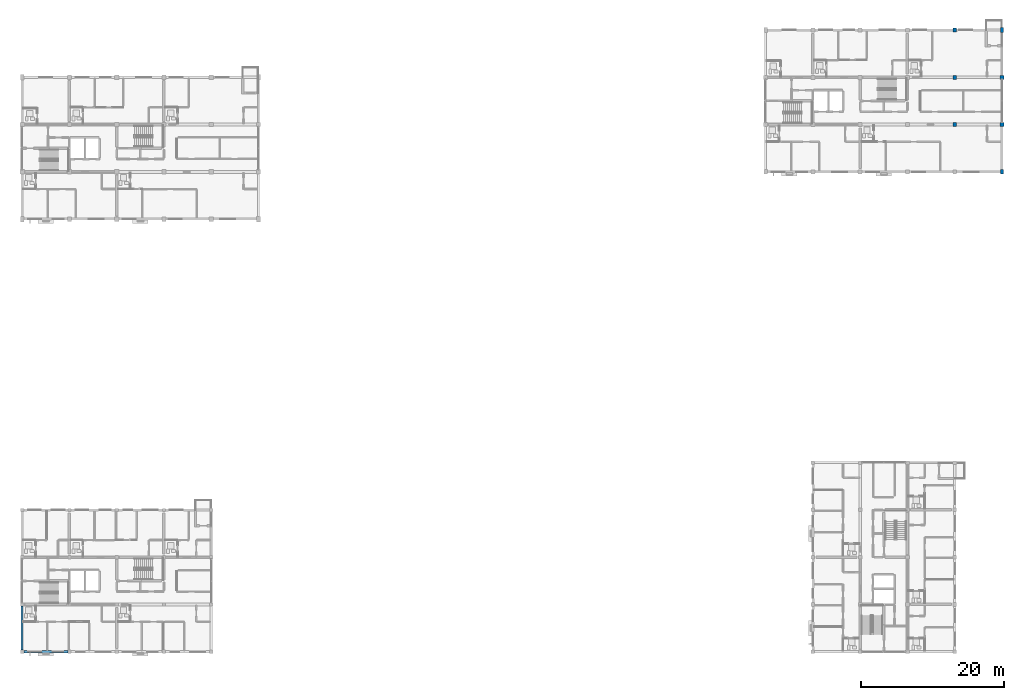
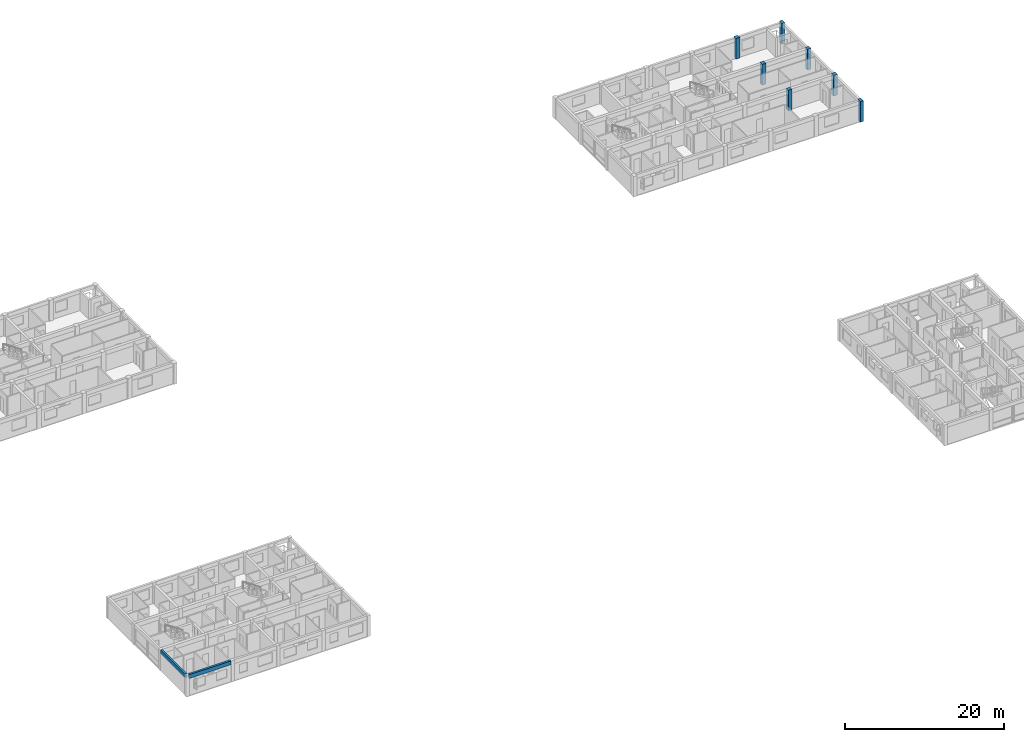
# One storey, part 2 of 52: 7 columns, 2 beams.
"""IFC4 building model written with IfcOpenShell, lengths in metres."""

from ifc_helpers import new_model, si_unit, direction, frame, origin, origin_2d, place, context, subcontext, project, spatial, rectangle, extrude, material, material_profile, profile_set, type_object, element, save


model = new_model("IFC4")

# Units and contexts
model_context = context("Model", 3, precision=1e-05, world=origin(), true_north=direction((0.0, 1.0)))
body_context = subcontext(model_context, "Body", "Model", "MODEL_VIEW")
ifc_project = project(units=[si_unit("LENGTHUNIT", "METRE"), si_unit("AREAUNIT", "SQUARE_METRE"), si_unit("VOLUMEUNIT", "CUBIC_METRE"), si_unit("PLANEANGLEUNIT", "RADIAN"), si_unit("MASSUNIT", "GRAM", prefix="KILO")], contexts=[model_context])

# Site, building, storey
site_placement = place(None, origin())
site = spatial("IfcSite", under=ifc_project, at=site_placement, CompositionType="ELEMENT")
building_placement = place(site_placement, origin())
building = spatial("IfcBuilding", under=site, at=building_placement, Name="Kernevlak Ridge Housing Community", CompositionType="ELEMENT")
storey_placement = place(building_placement, frame((0.0, 0.0, 11.60009765625)))
storey = spatial("IfcBuildingStorey", under=building, at=storey_placement, Name="L03", CompositionType="ELEMENT", Elevation=11.60009765625)

# Columns
ifc_material_1 = material(Name="Concrete C40/50", Category="concrete")
ifc_material_profile_1 = material_profile(ifc_material_1, rectangle(XDim=0.550048828125, YDim=0.550048828125, at=origin_2d()), Name="RC 550x550")
ifc_profile_set_1 = profile_set([ifc_material_profile_1], Name="Concrete C40/50")
column_type_1 = type_object("IfcColumnType", Name="C-02", PredefinedType="COLUMN", material=ifc_profile_set_1)
for number, where, z_axis, x_axis, name in (
    (1, (145.800048828125, 89.199951171875, 0.0), (0.0, 0.0, 1.0), (1.0, 0.0, 0.0), "Column C-02 COL-B-L03-04-1"),
    (2, (145.800048828125, 95.800048828125, 0.0), (0.0, 0.0, 1.0), (1.0, 0.0, 0.0), "Column C-02 COL-B-L03-04-2"),
    (3, (145.800048828125, 102.39990234375, 0.0), (0.0, 0.0, 1.0), (1.0, 0.0, 0.0), "Column C-02 COL-B-L03-04-3"),
    (4, (152.39990234375, 89.199951171875, 0.0), (0.0, 0.0, 1.0), (1.0, 0.0, 0.0), "Column C-02 COL-B-L03-05-1"),
    (5, (152.39990234375, 95.800048828125, 0.0), (0.0, 0.0, 1.0), (1.0, 0.0, 0.0), "Column C-02 COL-B-L03-05-2"),
):
    element("IfcColumn", number, at=place(storey_placement, frame(where, z_axis=z_axis, x_axis=x_axis)), inside=storey, type_object=column_type_1, Name=name, PredefinedType="COLUMN", context=body_context, shape_type="SweptSolid", body=[
        extrude(rectangle(XDim=0.550048828125, YDim=0.550048828125, at=origin_2d()), origin(), (0.0, 0.0, 1.0), 3.199951171875),
    ])
ifc_material_profile_2 = material_profile(ifc_material_1, rectangle(XDim=0.449951171875, YDim=0.64990234375, at=origin_2d()), Name="RC 450x650")
ifc_profile_set_2 = profile_set([ifc_material_profile_2], Name="Concrete C40/50")
column_type_2 = type_object("IfcColumnType", Name="C-08", PredefinedType="COLUMN", material=ifc_profile_set_2)
for number, where, z_axis, x_axis, name in (
    (6, (152.39990234375, 82.60009765625, 0.0), (0.0, 0.0, 1.0), (1.0, 0.0, 0.0), "Column C-08 COL-B-L03-05-0"),
    (7, (152.39990234375, 102.39990234375, 0.0), (0.0, 0.0, 1.0), (1.0, 0.0, 0.0), "Column C-08 COL-B-L03-05-3"),
):
    element("IfcColumn", number, at=place(storey_placement, frame(where, z_axis=z_axis, x_axis=x_axis)), inside=storey, type_object=column_type_2, Name=name, PredefinedType="COLUMN", context=body_context, shape_type="SweptSolid", body=[
        extrude(rectangle(XDim=0.449951171875, YDim=0.64990234375, at=origin_2d()), origin(), (0.0, 0.0, 1.0), 3.199951171875),
    ])

# Beams
ifc_material_2 = material(Name="Concrete C35/45", Category="concrete")
ifc_material_profile_3 = material_profile(ifc_material_2, rectangle(XDim=0.300048828125, YDim=0.550048828125, at=origin_2d()), Name="RC 300x550")
ifc_profile_set_3 = profile_set([ifc_material_profile_3], Name="Concrete C35/45")
beam_type_1 = type_object("IfcBeamType", Name="SP-01", PredefinedType="SPANDREL", material=ifc_profile_set_3)
beam_1_placement = place(storey_placement, frame((15.60009765625, 15.824951171875, 2.9248046875), z_axis=(0.0, 1.0, 0.0), x_axis=(-1.0, 0.0, 0.0)))
element("IfcBeam", 8, at=beam_1_placement, inside=storey, type_object=beam_type_1, Name="Beam SP-01 L03 1404", PredefinedType="SPANDREL", context=body_context, shape_type="SweptSolid", body=[
    extrude(rectangle(XDim=0.300048828125, YDim=0.550048828125, at=origin_2d()), origin(), (0.0, 0.0, 1.0), 6.150146484375),
])
ifc_material_profile_4 = material_profile(ifc_material_2, rectangle(XDim=0.300048828125, YDim=0.60009765625, at=origin_2d()), Name="RC 300x600")
ifc_profile_set_4 = profile_set([ifc_material_profile_4], Name="Concrete C35/45")
beam_type_2 = type_object("IfcBeamType", Name="SP-02", PredefinedType="SPANDREL", material=ifc_profile_set_4)
beam_2_placement = place(storey_placement, frame((15.824951171875, 15.60009765625, 2.89990234375), z_axis=(1.0, 0.0, 0.0), x_axis=(0.0, 1.0, 0.0)))
element("IfcBeam", 9, at=beam_2_placement, inside=storey, type_object=beam_type_2, Name="Beam SP-02 L03 1388", PredefinedType="SPANDREL", context=body_context, shape_type="SweptSolid", body=[
    extrude(rectangle(XDim=0.300048828125, YDim=0.60009765625, at=origin_2d()), origin(), (0.0, 0.0, 1.0), 6.150146484375),
])

save(model, "model.ifc")
